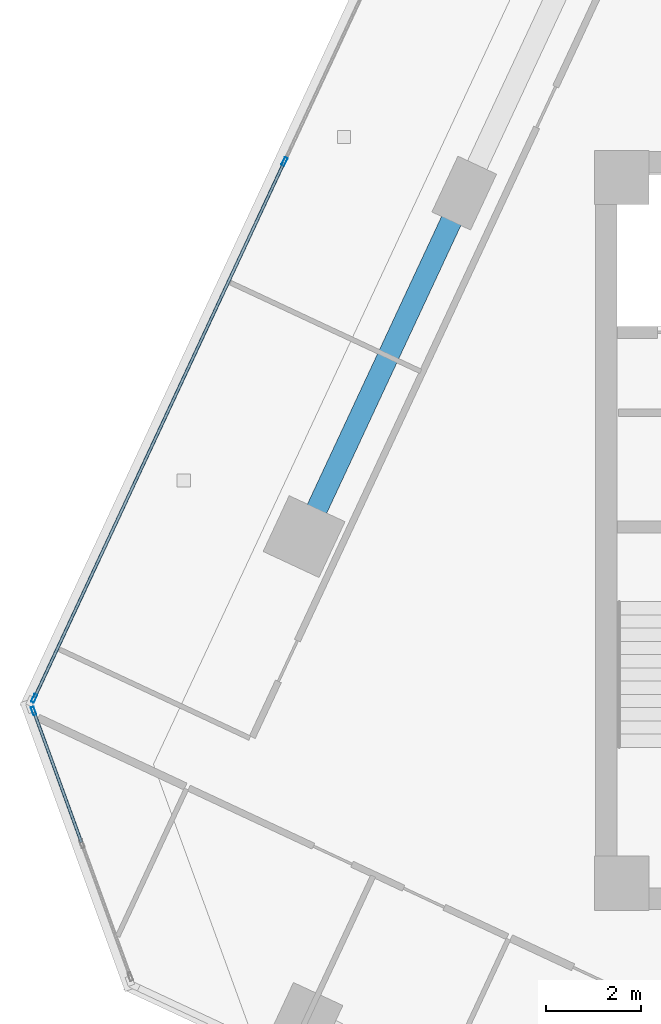
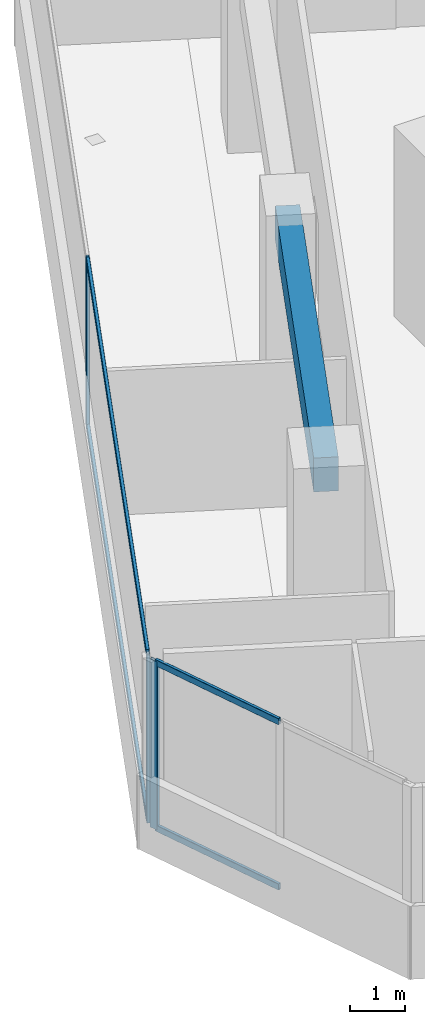
# One storey, part 6 of 23: 7 members, 1 beam, 2 elements without a shape of their own.
"""IFC4 building model written with IfcOpenShell, lengths in metres."""

from ifc_helpers import new_model, si_unit, direction, frame, origin, origin_2d, place, context, subcontext, project, spatial, rectangle, hollow_rectangle, extrude, source, transform, mapped, material, material_profile, profile_set, type_object, element, aggregate, save


model = new_model("IFC4")

# Units and contexts
model_context = context("Model", 3, precision=1e-05, world=origin(), true_north=direction((0.0, 1.0)))
body_context = subcontext(model_context, "Body", "Model", "MODEL_VIEW")
ifc_project = project(units=[si_unit("LENGTHUNIT", "METRE"), si_unit("AREAUNIT", "SQUARE_METRE"), si_unit("VOLUMEUNIT", "CUBIC_METRE"), si_unit("PLANEANGLEUNIT", "RADIAN"), si_unit("MASSUNIT", "GRAM", prefix="KILO")], contexts=[model_context])

# Site, building, storey
site_placement = place(None, origin())
site = spatial("IfcSite", under=ifc_project, at=site_placement, CompositionType="ELEMENT")
building_placement = place(site_placement, origin())
building = spatial("IfcBuilding", under=site, at=building_placement, Name="Torre Montelarca", CompositionType="ELEMENT")
storey_placement = place(building_placement, frame((0.0, 0.0, 154.0)))
storey = spatial("IfcBuildingStorey", under=building, at=storey_placement, Name="L34", CompositionType="ELEMENT", Elevation=154.0)

# Beam
ifc_material_1 = material(Name="Concrete C55/67", Category="concrete")
ifc_material_profile_1 = material_profile(ifc_material_1, rectangle(XDim=0.449951171875, YDim=0.75, at=origin_2d()), Name="RCB450X750", Category="concrete")
ifc_profile_set_1 = profile_set([ifc_material_profile_1], Name="Concrete C55/67")
beam_type = type_object("IfcBeamType", Name="BM-SP-RC750-EXT", PredefinedType="SPANDREL", material=ifc_profile_set_1)
shared_shape_1 = source(origin(), body_context, "Body", "SweptSolid", [
    extrude(rectangle(XDim=0.449951171875, YDim=0.75, at=origin_2d()), origin(), (0.0, 0.0, 1.0), 8.0),
])
beam_placement = place(storey_placement, frame((2.847900390625, 31.87060546875, 3.5849609375), z_axis=(0.422608113797, 0.906312519031, 0.0), x_axis=(-0.906312519031, 0.422608113797, 0.0)))
element("IfcBeam", 1, at=beam_placement, inside=storey, type_object=beam_type, Name="L34 Grid Girder Y 24.0-32.0 at X=4.7", PredefinedType="SPANDREL", context=body_context, shape_type="MappedRepresentation", body=[
    mapped(shared_shape_1, transform((0.0, 0.0, 0.0), scale=1.0)),
])

# Curtain wall, members
ifc_material_2 = material(Name="Insulated low-E laminated glass", Category="glass")
curtain_wall_type = type_object("IfcCurtainWallType", Name="CW-SYS-Z2", PredefinedType="USERDEFINED", material=ifc_material_2)
curtain_wall_1_placement = place(storey_placement, origin())
curtain_wall_1 = element("IfcCurtainWall", 2, at=curtain_wall_1_placement, inside=storey, type_object=curtain_wall_type, Name="L34 Curtain Wall Run CW-T3-L34-E11-B1", ObjectType="UNITISED GLAZING", PredefinedType="USERDEFINED")
ifc_material_3 = material(Name="Anodised aluminium AA 6063-T6", Category="aluminium")
ifc_material_profile_2 = material_profile(ifc_material_3, hollow_rectangle(XDim=0.06494140625, YDim=0.139892578125, WallThickness=0.00390625, InnerFilletRadius=0.00390625, OuterFilletRadius=0.008056640625, at=origin_2d()), Name="ALU65X140X4", Category="aluminium")
ifc_profile_set_2 = profile_set([ifc_material_profile_2], Name="Anodised aluminium AA 6063-T6")
member_type_1 = type_object("IfcMemberType", Name="CWT-ALU140", PredefinedType="USERDEFINED", material=ifc_profile_set_2)
shared_shape_2 = source(origin(), body_context, "Body", "SweptSolid", [
    extrude(hollow_rectangle(XDim=0.06494140625, YDim=0.139892578125, WallThickness=0.00390625, InnerFilletRadius=0.00390625, OuterFilletRadius=0.008056640625, at=origin_2d()), origin(), (0.0, 0.0, 1.0), 2.918701171875),
])
member_1_placement = place(storey_placement, frame((-2.849365234375, 28.159423828125, 0.032470703125), z_axis=(0.342031842172, -0.939688362671, 0.0), x_axis=(0.939688362671, 0.342031842172, 0.0)))
member_1 = element("IfcMember", 3, at=member_1_placement, type_object=member_type_1, Name="CW transom 1.1", ObjectType="TRANSOM", PredefinedType="USERDEFINED", context=body_context, shape_type="MappedRepresentation", body=[
    mapped(shared_shape_2, transform((0.0, 0.0, 0.0), scale=1.0)),
])
member_2_placement = place(storey_placement, frame((-2.849365234375, 28.159423828125, 3.6875), z_axis=(0.342031842172, -0.939688362671, 0.0), x_axis=(0.939688362671, 0.342031842172, 0.0)))
member_2 = element("IfcMember", 4, at=member_2_placement, type_object=member_type_1, Name="CW transom 1.2", ObjectType="TRANSOM", PredefinedType="USERDEFINED", context=body_context, shape_type="MappedRepresentation", body=[
    mapped(shared_shape_2, transform((0.0, 0.0, 0.0), scale=1.0)),
])

curtain_wall_2_placement = place(storey_placement, origin())
curtain_wall_2 = element("IfcCurtainWall", 5, at=curtain_wall_2_placement, inside=storey, type_object=curtain_wall_type, Name="L34 Curtain Wall Run CW-T3-L34-E10-B1", ObjectType="UNITISED GLAZING", PredefinedType="USERDEFINED")
shared_shape_3 = source(origin(), body_context, "Body", "SweptSolid", [
    extrude(hollow_rectangle(XDim=0.06494140625, YDim=0.139892578125, WallThickness=0.00390625, InnerFilletRadius=0.00390625, OuterFilletRadius=0.008056640625, at=origin_2d()), origin(), (0.0, 0.0, 1.0), 12.436767578125),
])
member_3_placement = place(storey_placement, frame((2.4208984375, 39.757568359375, 0.032470703125), z_axis=(-0.422610329059, -0.906311486065, 0.0), x_axis=(0.906311486065, -0.422610329059, 0.0)))
member_3 = element("IfcMember", 6, at=member_3_placement, type_object=member_type_1, Name="CW transom 2.1", ObjectType="TRANSOM", PredefinedType="USERDEFINED", context=body_context, shape_type="MappedRepresentation", body=[
    mapped(shared_shape_3, transform((0.0, 0.0, 0.0), scale=1.0)),
])
member_4_placement = place(storey_placement, frame((2.4208984375, 39.757568359375, 3.6875), z_axis=(-0.422610329059, -0.906311486065, 0.0), x_axis=(0.906311486065, -0.422610329059, 0.0)))
member_4 = element("IfcMember", 7, at=member_4_placement, type_object=member_type_1, Name="CW transom 2.2", ObjectType="TRANSOM", PredefinedType="USERDEFINED", context=body_context, shape_type="MappedRepresentation", body=[
    mapped(shared_shape_3, transform((0.0, 0.0, 0.0), scale=1.0)),
])
ifc_material_profile_3 = material_profile(ifc_material_3, hollow_rectangle(XDim=0.06494140625, YDim=0.179931640625, WallThickness=0.00390625, InnerFilletRadius=0.00390625, OuterFilletRadius=0.008056640625, at=origin_2d()), Name="ALU65X180X4", Category="aluminium")
ifc_profile_set_3 = profile_set([ifc_material_profile_3], Name="Anodised aluminium AA 6063-T6")
member_type_2 = type_object("IfcMemberType", Name="CWM-ALU180", PredefinedType="MULLION", material=ifc_profile_set_3)
shared_shape_4 = source(origin(), body_context, "Body", "SweptSolid", [
    extrude(hollow_rectangle(XDim=0.06494140625, YDim=0.179931640625, WallThickness=0.00390625, InnerFilletRadius=0.00390625, OuterFilletRadius=0.008056640625, at=origin_2d()), origin(), (0.0, 0.0, 1.0), 3.719970703125),
])
member_5_placement = place(storey_placement, frame((2.434814453125, 39.787109375, 0.0), z_axis=(0.0, 0.0, 1.0), x_axis=(0.906309673549, -0.422614216079, 0.0)))
member_5 = element("IfcMember", 8, at=member_5_placement, type_object=member_type_2, Name="CW mullion 2", PredefinedType="MULLION", context=body_context, shape_type="MappedRepresentation", body=[
    mapped(shared_shape_4, transform((0.0, 0.0, 0.0), scale=1.0)),
])
member_6_placement = place(storey_placement, frame((-2.8486328125, 28.45654296875, 0.0), z_axis=(0.0, 0.0, 1.0), x_axis=(0.906309673549, -0.422614216079, 0.0)))
member_6 = element("IfcMember", 9, at=member_6_placement, type_object=member_type_2, Name="CW mullion 3", PredefinedType="MULLION", context=body_context, shape_type="MappedRepresentation", body=[
    mapped(shared_shape_4, transform((0.0, 0.0, 0.0), scale=1.0)),
])
aggregate(curtain_wall_2, [member_5, member_6, member_3, member_4])

# Member
member_7_placement = place(storey_placement, frame((-2.8603515625, 28.18994140625, 0.0), z_axis=(0.0, 0.0, 1.0), x_axis=(0.939694159282, 0.342015916313, 0.0)))
member_7 = element("IfcMember", 10, at=member_7_placement, type_object=member_type_2, Name="CW mullion 1", PredefinedType="MULLION", context=body_context, shape_type="MappedRepresentation", body=[
    mapped(shared_shape_4, transform((0.0, 0.0, 0.0), scale=1.0)),
])

aggregate(curtain_wall_1, [member_7, member_1, member_2])

save(model, "model.ifc")
